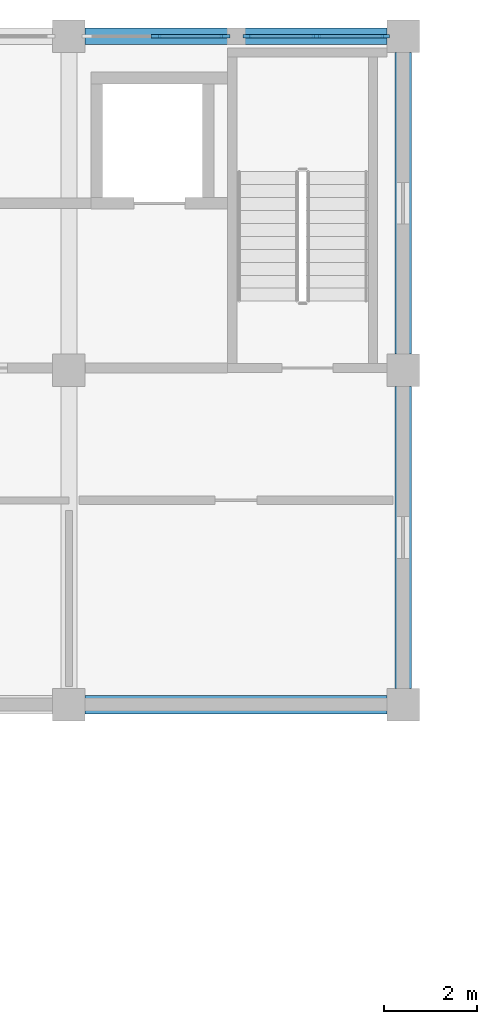
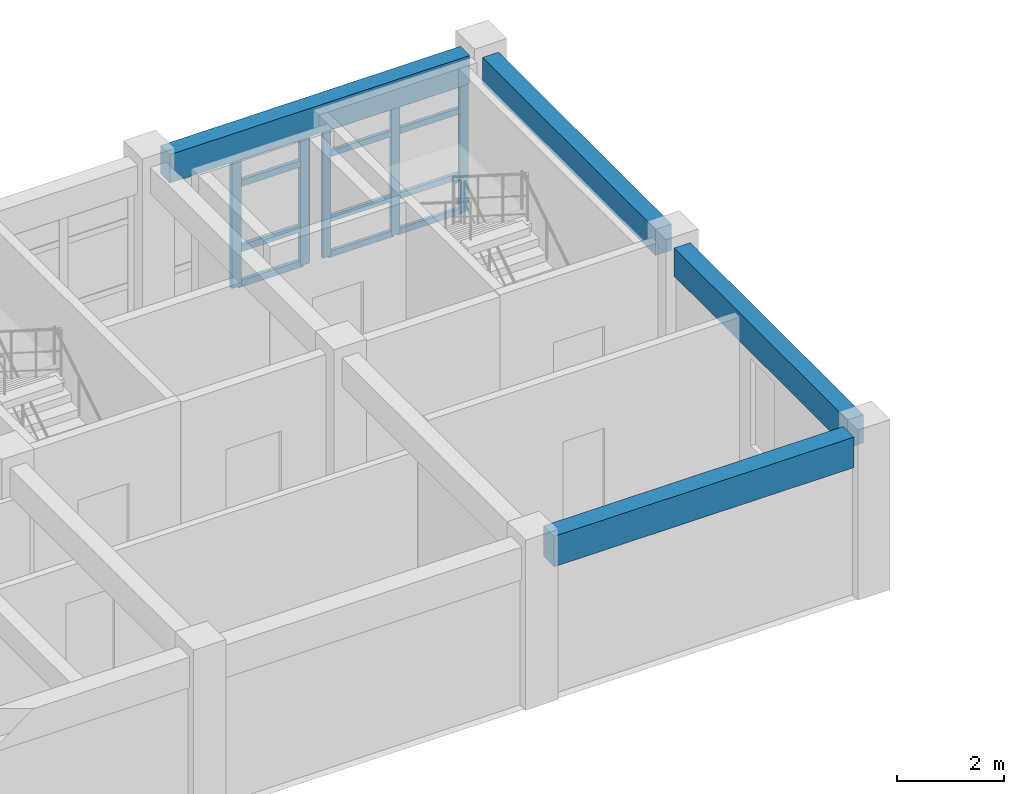
# One storey, part 9 of 54: 17 members, 4 beams, 2 elements without a shape of their own.
"""IFC4 building model written with IfcOpenShell, lengths in metres."""

from ifc_helpers import new_model, si_unit, direction, frame, origin, origin_2d, place, context, subcontext, project, spatial, rectangle, extrude, material, layer, layer_set, material_profile, profile_set, type_object, element, aggregate, save


model = new_model("IFC4")

# Units and contexts
model_context = context("Model", 3, precision=1e-05, world=origin(), true_north=direction((0.0, 1.0)))
body_context = subcontext(model_context, "Body", "Model", "MODEL_VIEW")
ifc_project = project(units=[si_unit("LENGTHUNIT", "METRE"), si_unit("AREAUNIT", "SQUARE_METRE"), si_unit("VOLUMEUNIT", "CUBIC_METRE"), si_unit("PLANEANGLEUNIT", "RADIAN"), si_unit("MASSUNIT", "GRAM", prefix="KILO")], contexts=[model_context])

# Site, building, storey
site_placement = place(None, origin())
site = spatial("IfcSite", under=ifc_project, at=site_placement, CompositionType="ELEMENT")
building_placement = place(site_placement, origin())
building = spatial("IfcBuilding", under=site, at=building_placement, Name="Koriwan Promenade Central Fire Station", CompositionType="ELEMENT")
storey_placement = place(building_placement, frame((0.0, 0.0, 9.60009765625)))
storey = spatial("IfcBuildingStorey", under=building, at=storey_placement, Name="L02", CompositionType="ELEMENT", Elevation=9.60009765625)

# Beams
ifc_material_1 = material(Name="Concrete C35/45", Category="concrete")
ifc_material_profile_1 = material_profile(ifc_material_1, rectangle(XDim=0.35009765625, YDim=0.60009765625, at=origin_2d()), Name="RC-BM-350x600")
ifc_profile_set_1 = profile_set([ifc_material_profile_1], Name="Concrete C35/45")
beam_type_1 = type_object("IfcBeamType", Name="Beam_RC-BM-350x600", PredefinedType="BEAM", material=ifc_profile_set_1)
beam_1_placement = place(storey_placement, frame((100.800048828125, 108.35009765625, 3.349853515625), z_axis=(0.0, 1.0, 0.0), x_axis=(-1.0, 0.0, 0.0)))
element("IfcBeam", 1, at=beam_1_placement, inside=storey, type_object=beam_type_1, Name="V2 L02 girder Y-154", PredefinedType="BEAM", context=body_context, shape_type="SweptSolid", body=[
    extrude(rectangle(XDim=0.35009765625, YDim=0.60009765625, at=origin_2d()), origin(), (0.0, 0.0, 1.0), 6.5),
])
ifc_material_profile_2 = material_profile(ifc_material_1, rectangle(XDim=0.35009765625, YDim=0.64990234375, at=origin_2d()), Name="RC-BM-350x650")
ifc_profile_set_2 = profile_set([ifc_material_profile_2], Name="Concrete C35/45")
beam_type_2 = type_object("IfcBeamType", Name="Beam_RC-BM-350x650", PredefinedType="BEAM", material=ifc_profile_set_2)
beam_2_placement = place(storey_placement, frame((100.800048828125, 101.14990234375, 3.324951171875), z_axis=(0.0, 1.0, 0.0), x_axis=(-1.0, 0.0, 0.0)))
element("IfcBeam", 2, at=beam_2_placement, inside=storey, type_object=beam_type_2, Name="V2 L02 girder Y-153", PredefinedType="BEAM", context=body_context, shape_type="SweptSolid", body=[
    extrude(rectangle(XDim=0.35009765625, YDim=0.64990234375, at=origin_2d()), origin(), (0.0, 0.0, 1.0), 6.5),
])
ifc_material_profile_3 = material_profile(ifc_material_1, rectangle(XDim=0.39990234375, YDim=0.699951171875, at=origin_2d()), Name="RC-BM-400x700")
ifc_profile_set_3 = profile_set([ifc_material_profile_3], Name="Concrete C35/45")
beam_type_3 = type_object("IfcBeamType", Name="Beam_RC-BM-400x700", PredefinedType="BEAM", material=ifc_profile_set_3)
beam_3_placement = place(storey_placement, frame((93.949951171875, 100.800048828125, 3.2998046875), z_axis=(1.0, 0.0, 0.0), x_axis=(0.0, 1.0, 0.0)))
element("IfcBeam", 3, at=beam_3_placement, inside=storey, type_object=beam_type_3, Name="V2 L02 girder X-142", PredefinedType="BEAM", context=body_context, shape_type="SweptSolid", body=[
    extrude(rectangle(XDim=0.39990234375, YDim=0.699951171875, at=origin_2d()), origin(), (0.0, 0.0, 1.0), 6.5),
])
ifc_material_profile_4 = material_profile(ifc_material_1, rectangle(XDim=0.35009765625, YDim=0.64990234375, at=origin_2d()), Name="RC-SP-350x650")
ifc_profile_set_4 = profile_set([ifc_material_profile_4], Name="Concrete C35/45")
beam_type_4 = type_object("IfcBeamType", Name="Beam_RC-SP-350x650", PredefinedType="SPANDREL", material=ifc_profile_set_4)
beam_4_placement = place(storey_placement, frame((93.949951171875, 115.199951171875, 3.324951171875), z_axis=(1.0, 0.0, 0.0), x_axis=(0.0, 1.0, 0.0)))
element("IfcBeam", 4, at=beam_4_placement, inside=storey, type_object=beam_type_4, Name="V2 L02 girder X-146", PredefinedType="SPANDREL", context=body_context, shape_type="SweptSolid", body=[
    extrude(rectangle(XDim=0.35009765625, YDim=0.64990234375, at=origin_2d()), origin(), (0.0, 0.0, 1.0), 6.5),
])

# Curtain wall, members
ifc_material_2 = material(Name="Aluminium EN AW-6063-T6 and low-E glazing", Category="aluminium")
ifc_layer_1 = layer(ifc_material_2, 0.159912109375, Name="Aluminium EN AW-6063-T6 and low-E glazing")
ifc_layer_set_1 = layer_set([ifc_layer_1], Name="Aluminium EN AW-6063-T6 and low-E glazing")
curtain_wall_type_1 = type_object("IfcCurtainWallType", Name="CurtainWall_09_305x299", PredefinedType="USERDEFINED", material=ifc_layer_set_1)
curtain_wall_1_placement = place(storey_placement, origin())
curtain_wall_1 = element("IfcCurtainWall", 5, at=curtain_wall_1_placement, inside=storey, type_object=curtain_wall_type_1, Name="V2 L02 unitised curtain wall 027", ObjectType="UNITISED CURTAIN WALL", PredefinedType="USERDEFINED")
ifc_material_3 = material(Name="Aluminium EN AW-6063-T6", Category="aluminium")
ifc_material_profile_5 = material_profile(ifc_material_3, rectangle(XDim=0.074951171875, YDim=0.179931640625, at=origin_2d()), Name="ALU-MUL-75x180")
ifc_profile_set_5 = profile_set([ifc_material_profile_5], Name="Aluminium EN AW-6063-T6")
member_type_1 = type_object("IfcMemberType", Name="CWMullion_ALU-MUL-75x180", PredefinedType="MULLION", material=ifc_profile_set_5)
member_1_placement = place(storey_placement, frame((100.41259765625, 115.199951171875, 0.0), z_axis=(0.0, 0.0, 1.0), x_axis=(0.0, -1.0, 0.0)))
member_1 = element("IfcMember", 6, at=member_1_placement, type_object=member_type_1, Name="CW-09 mullion 1", PredefinedType="MULLION", context=body_context, shape_type="SweptSolid", body=[
    extrude(rectangle(XDim=0.074951171875, YDim=0.179931640625, at=origin_2d()), origin(), (0.0, 0.0, 1.0), 2.989990234375),
])
member_2_placement = place(storey_placement, frame((98.925048828125, 115.199951171875, 0.0), z_axis=(0.0, 0.0, 1.0), x_axis=(0.0, -1.0, 0.0)))
member_2 = element("IfcMember", 7, at=member_2_placement, type_object=member_type_1, Name="CW-09 mullion 2", PredefinedType="MULLION", context=body_context, shape_type="SweptSolid", body=[
    extrude(rectangle(XDim=0.074951171875, YDim=0.179931640625, at=origin_2d()), origin(), (0.0, 0.0, 1.0), 2.989990234375),
])
member_3_placement = place(storey_placement, frame((97.4375, 115.199951171875, 0.0), z_axis=(0.0, 0.0, 1.0), x_axis=(0.0, -1.0, 0.0)))
member_3 = element("IfcMember", 8, at=member_3_placement, type_object=member_type_1, Name="CW-09 mullion 3", PredefinedType="MULLION", context=body_context, shape_type="SweptSolid", body=[
    extrude(rectangle(XDim=0.074951171875, YDim=0.179931640625, at=origin_2d()), origin(), (0.0, 0.0, 1.0), 2.989990234375),
])

ifc_layer_2 = layer(ifc_material_2, 0.159912109375, Name="Aluminium EN AW-6063-T6 and low-E glazing")
ifc_layer_set_2 = layer_set([ifc_layer_2], Name="Aluminium EN AW-6063-T6 and low-E glazing")
curtain_wall_type_2 = type_object("IfcCurtainWallType", Name="CurtainWall_10_305x299", PredefinedType="USERDEFINED", material=ifc_layer_set_2)
curtain_wall_2_placement = place(storey_placement, origin())
curtain_wall_2 = element("IfcCurtainWall", 9, at=curtain_wall_2_placement, inside=storey, type_object=curtain_wall_type_2, Name="V2 L02 unitised curtain wall 028", ObjectType="UNITISED CURTAIN WALL", PredefinedType="USERDEFINED")
ifc_material_profile_6 = material_profile(ifc_material_3, rectangle(XDim=0.080078125, YDim=0.2099609375, at=origin_2d()), Name="ALU-MUL-80x210")
ifc_profile_set_6 = profile_set([ifc_material_profile_6], Name="Aluminium EN AW-6063-T6")
member_type_2 = type_object("IfcMemberType", Name="CWMullion_ALU-MUL-80x210", PredefinedType="MULLION", material=ifc_profile_set_6)
member_4_placement = place(storey_placement, frame((96.9599609375, 115.199951171875, 0.0), z_axis=(0.0, 0.0, 1.0), x_axis=(0.0, -1.0, 0.0)))
member_4 = element("IfcMember", 10, at=member_4_placement, type_object=member_type_2, Name="CW-10 mullion 1", PredefinedType="MULLION", context=body_context, shape_type="SweptSolid", body=[
    extrude(rectangle(XDim=0.080078125, YDim=0.2099609375, at=origin_2d()), origin(), (0.0, 0.0, 1.0), 2.989990234375),
])
member_5_placement = place(storey_placement, frame((95.47509765625, 115.199951171875, 0.0), z_axis=(0.0, 0.0, 1.0), x_axis=(0.0, -1.0, 0.0)))
member_5 = element("IfcMember", 11, at=member_5_placement, type_object=member_type_2, Name="CW-10 mullion 2", PredefinedType="MULLION", context=body_context, shape_type="SweptSolid", body=[
    extrude(rectangle(XDim=0.080078125, YDim=0.2099609375, at=origin_2d()), origin(), (0.0, 0.0, 1.0), 2.989990234375),
])

# Member
ifc_material_profile_7 = material_profile(ifc_material_3, rectangle(XDim=0.074951171875, YDim=0.139892578125, at=origin_2d()), Name="ALU-TRN-75x140")
ifc_profile_set_7 = profile_set([ifc_material_profile_7], Name="Aluminium EN AW-6063-T6")
member_type_3 = type_object("IfcMemberType", Name="CWTransom_ALU-TRN-75x140", PredefinedType="USERDEFINED", material=ifc_profile_set_7)
member_6_placement = place(storey_placement, frame((100.375, 115.199951171875, 0.037353515625), z_axis=(-1.0, 0.0, 0.0), x_axis=(0.0, -1.0, 0.0)))
member_6 = element("IfcMember", 12, at=member_6_placement, type_object=member_type_3, Name="CW-09 transom 1.1", ObjectType="TRANSOM", PredefinedType="USERDEFINED", context=body_context, shape_type="SweptSolid", body=[
    extrude(rectangle(XDim=0.074951171875, YDim=0.139892578125, at=origin_2d()), origin(), (0.0, 0.0, 1.0), 1.41259765625),
])

member_7_placement = place(storey_placement, frame((100.375, 115.199951171875, 0.849853515625), z_axis=(-1.0, 0.0, 0.0), x_axis=(0.0, -1.0, 0.0)))
member_7 = element("IfcMember", 13, at=member_7_placement, type_object=member_type_3, Name="CW-09 transom 1.2", ObjectType="TRANSOM", PredefinedType="USERDEFINED", context=body_context, shape_type="SweptSolid", body=[
    extrude(rectangle(XDim=0.074951171875, YDim=0.139892578125, at=origin_2d()), origin(), (0.0, 0.0, 1.0), 1.41259765625),
])

member_8_placement = place(storey_placement, frame((100.375, 115.199951171875, 2.33984375), z_axis=(-1.0, 0.0, 0.0), x_axis=(0.0, -1.0, 0.0)))
member_8 = element("IfcMember", 14, at=member_8_placement, type_object=member_type_3, Name="CW-09 transom 1.3", ObjectType="TRANSOM", PredefinedType="USERDEFINED", context=body_context, shape_type="SweptSolid", body=[
    extrude(rectangle(XDim=0.074951171875, YDim=0.139892578125, at=origin_2d()), origin(), (0.0, 0.0, 1.0), 1.41259765625),
])

member_9_placement = place(storey_placement, frame((100.375, 115.199951171875, 2.952392578125), z_axis=(-1.0, 0.0, 0.0), x_axis=(0.0, -1.0, 0.0)))
member_9 = element("IfcMember", 15, at=member_9_placement, type_object=member_type_3, Name="CW-09 transom 1.4", ObjectType="TRANSOM", PredefinedType="USERDEFINED", context=body_context, shape_type="SweptSolid", body=[
    extrude(rectangle(XDim=0.074951171875, YDim=0.139892578125, at=origin_2d()), origin(), (0.0, 0.0, 1.0), 1.41259765625),
])

member_10_placement = place(storey_placement, frame((98.887451171875, 115.199951171875, 0.037353515625), z_axis=(-1.0, 0.0, 0.0), x_axis=(0.0, -1.0, 0.0)))
member_10 = element("IfcMember", 16, at=member_10_placement, type_object=member_type_3, Name="CW-09 transom 2.1", ObjectType="TRANSOM", PredefinedType="USERDEFINED", context=body_context, shape_type="SweptSolid", body=[
    extrude(rectangle(XDim=0.074951171875, YDim=0.139892578125, at=origin_2d()), origin(), (0.0, 0.0, 1.0), 1.412353515625),
])

member_11_placement = place(storey_placement, frame((98.887451171875, 115.199951171875, 0.849853515625), z_axis=(-1.0, 0.0, 0.0), x_axis=(0.0, -1.0, 0.0)))
member_11 = element("IfcMember", 17, at=member_11_placement, type_object=member_type_3, Name="CW-09 transom 2.2", ObjectType="TRANSOM", PredefinedType="USERDEFINED", context=body_context, shape_type="SweptSolid", body=[
    extrude(rectangle(XDim=0.074951171875, YDim=0.139892578125, at=origin_2d()), origin(), (0.0, 0.0, 1.0), 1.412353515625),
])

member_12_placement = place(storey_placement, frame((98.887451171875, 115.199951171875, 2.33984375), z_axis=(-1.0, 0.0, 0.0), x_axis=(0.0, -1.0, 0.0)))
member_12 = element("IfcMember", 18, at=member_12_placement, type_object=member_type_3, Name="CW-09 transom 2.3", ObjectType="TRANSOM", PredefinedType="USERDEFINED", context=body_context, shape_type="SweptSolid", body=[
    extrude(rectangle(XDim=0.074951171875, YDim=0.139892578125, at=origin_2d()), origin(), (0.0, 0.0, 1.0), 1.412353515625),
])

member_13_placement = place(storey_placement, frame((98.887451171875, 115.199951171875, 2.952392578125), z_axis=(-1.0, 0.0, 0.0), x_axis=(0.0, -1.0, 0.0)))
member_13 = element("IfcMember", 19, at=member_13_placement, type_object=member_type_3, Name="CW-09 transom 2.4", ObjectType="TRANSOM", PredefinedType="USERDEFINED", context=body_context, shape_type="SweptSolid", body=[
    extrude(rectangle(XDim=0.074951171875, YDim=0.139892578125, at=origin_2d()), origin(), (0.0, 0.0, 1.0), 1.412353515625),
])

aggregate(curtain_wall_1, [member_1, member_2, member_3, member_6, member_7, member_8, member_9, member_10, member_11, member_12, member_13])

ifc_material_profile_8 = material_profile(ifc_material_3, rectangle(XDim=0.080078125, YDim=0.155029296875, at=origin_2d()), Name="ALU-TRN-80x155")
ifc_profile_set_8 = profile_set([ifc_material_profile_8], Name="Aluminium EN AW-6063-T6")
member_type_4 = type_object("IfcMemberType", Name="CWTransom_ALU-TRN-80x155", PredefinedType="USERDEFINED", material=ifc_profile_set_8)
member_14_placement = place(storey_placement, frame((96.919921875, 115.199951171875, 0.039794921875), z_axis=(-1.0, 0.0, 0.0), x_axis=(0.0, -1.0, 0.0)))
member_14 = element("IfcMember", 20, at=member_14_placement, type_object=member_type_4, Name="CW-10 transom 1.1", ObjectType="TRANSOM", PredefinedType="USERDEFINED", context=body_context, shape_type="SweptSolid", body=[
    extrude(rectangle(XDim=0.080078125, YDim=0.155029296875, at=origin_2d()), origin(), (0.0, 0.0, 1.0), 1.405029296875),
])

member_15_placement = place(storey_placement, frame((96.919921875, 115.199951171875, 0.849853515625), z_axis=(-1.0, 0.0, 0.0), x_axis=(0.0, -1.0, 0.0)))
member_15 = element("IfcMember", 21, at=member_15_placement, type_object=member_type_4, Name="CW-10 transom 1.2", ObjectType="TRANSOM", PredefinedType="USERDEFINED", context=body_context, shape_type="SweptSolid", body=[
    extrude(rectangle(XDim=0.080078125, YDim=0.155029296875, at=origin_2d()), origin(), (0.0, 0.0, 1.0), 1.405029296875),
])

member_16_placement = place(storey_placement, frame((96.919921875, 115.199951171875, 2.33984375), z_axis=(-1.0, 0.0, 0.0), x_axis=(0.0, -1.0, 0.0)))
member_16 = element("IfcMember", 22, at=member_16_placement, type_object=member_type_4, Name="CW-10 transom 1.3", ObjectType="TRANSOM", PredefinedType="USERDEFINED", context=body_context, shape_type="SweptSolid", body=[
    extrude(rectangle(XDim=0.080078125, YDim=0.155029296875, at=origin_2d()), origin(), (0.0, 0.0, 1.0), 1.405029296875),
])

member_17_placement = place(storey_placement, frame((96.919921875, 115.199951171875, 2.949951171875), z_axis=(-1.0, 0.0, 0.0), x_axis=(0.0, -1.0, 0.0)))
member_17 = element("IfcMember", 23, at=member_17_placement, type_object=member_type_4, Name="CW-10 transom 1.4", ObjectType="TRANSOM", PredefinedType="USERDEFINED", context=body_context, shape_type="SweptSolid", body=[
    extrude(rectangle(XDim=0.080078125, YDim=0.155029296875, at=origin_2d()), origin(), (0.0, 0.0, 1.0), 1.405029296875),
])

aggregate(curtain_wall_2, [member_4, member_5, member_14, member_15, member_16, member_17])

save(model, "model.ifc")
